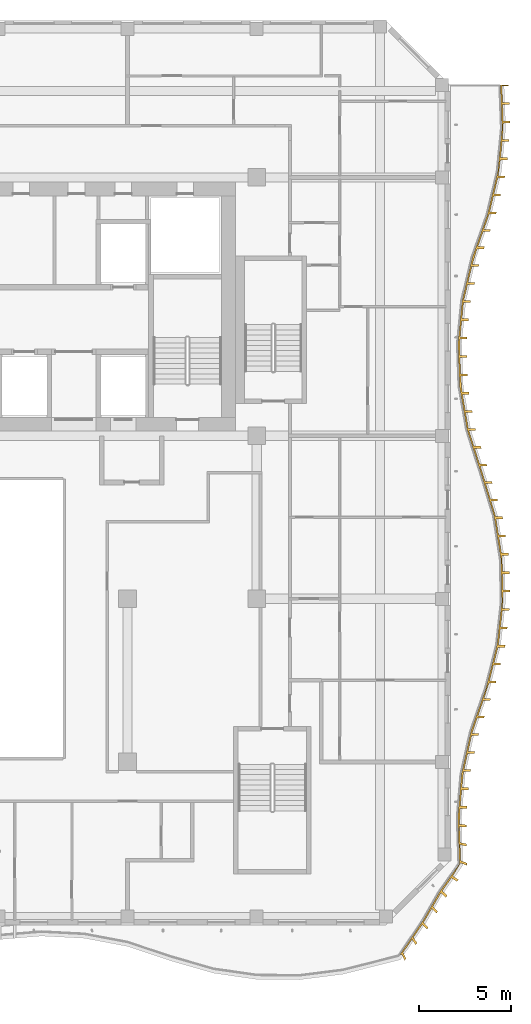
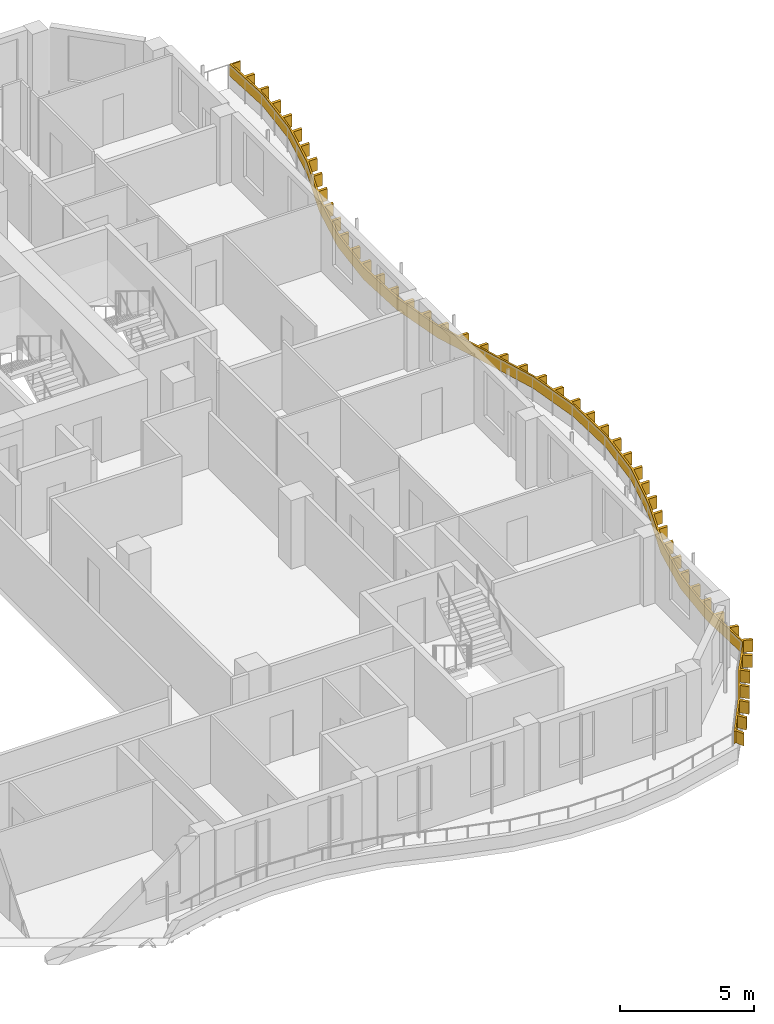
# One storey, part 16 of 19: 1 shading device.
"""IFC4 building model written with IfcOpenShell, lengths in metres."""

import ifcopenshell
import ifcopenshell.guid

model = None  # the IFC model being written
_history = None  # IfcOwnerHistory: only IFC2X3 demands one
_inside = {}  # id of a spatial element -> (the spatial element, [elements in it])
_under = {}  # id of a project, library or spatial element -> (it, [spatial elements below it])
_declared = {}  # id of a project -> (the project, [libraries it declares])
_typed = {}  # id of a type object -> (the type object, [elements of that type])
_made_of = {}  # id of a material, layer set ... -> (it, [elements and type objects made of it])


def new_model(schema):
    """Start an empty IFC model of exactly this schema.

    Asked for "IFC4X3", IfcOpenShell would pick the latest addendum, in which some entities
    have other attributes; the version numbers below select the first issue.
    IFC2X3 requires an IfcOwnerHistory on every rooted entity: one is made here for all.
    """
    global model, _history
    if schema == "IFC4X3":
        model = ifcopenshell.file(schema_version=(4, 3, 0, 0))
    else:
        model = ifcopenshell.file(schema=schema)
    _inside.clear()
    _under.clear()
    _declared.clear()
    _typed.clear()
    _made_of.clear()
    _history = None
    if model.schema == "IFC2X3":
        org = make("IfcOrganization", Name="unknown")
        user = make(
            "IfcPersonAndOrganization",
            ThePerson=make("IfcPerson", FamilyName="unknown"),
            TheOrganization=org,
        )
        app = make(
            "IfcApplication",
            ApplicationDeveloper=org,
            Version="unknown",
            ApplicationFullName="unknown",
            ApplicationIdentifier="unknown",
        )
        _history = make(
            "IfcOwnerHistory",
            OwningUser=user,
            OwningApplication=app,
            ChangeAction="ADDED",
            CreationDate=0,
        )
    return model


def make(cls, **values):
    """One entity of the class cls with the attributes given. An attribute that is None is left unset."""
    return model.create_entity(
        cls, **{name: value for name, value in values.items() if value is not None}
    )


def rooted(cls, **values):
    """An entity with a GlobalId (a new one), such as an element, a storey or a relation."""
    return make(cls, GlobalId=ifcopenshell.guid.new(), OwnerHistory=_history, **values)


def si_unit(unit_type, name, prefix=None):
    """IfcSIUnit, for example si_unit("LENGTHUNIT", "METRE", prefix="MILLI")."""
    return make("IfcSIUnit", UnitType=unit_type, Prefix=prefix, Name=name)


def assignment(units):
    """IfcUnitAssignment: the units of a project."""
    return None if units is None else make("IfcUnitAssignment", Units=units)


def point(xyz):
    """IfcCartesianPoint."""
    return None if xyz is None else make("IfcCartesianPoint", Coordinates=xyz)


def direction(xyz):
    """IfcDirection."""
    return None if xyz is None else make("IfcDirection", DirectionRatios=xyz)


def frame(location, z_axis=None, x_axis=None):
    """IfcAxis2Placement3D, a coordinate frame: its origin and axes. An axis left out is left unset."""
    return make(
        "IfcAxis2Placement3D",
        Location=point(location),
        Axis=direction(z_axis),
        RefDirection=direction(x_axis),
    )


def origin():
    """The frame at (0, 0, 0) with its axes left unset."""
    return frame((0.0, 0.0, 0.0))


def place(relative_to, where):
    """IfcLocalPlacement: puts the frame where relative to a parent placement (None: the world)."""
    return make(
        "IfcLocalPlacement", PlacementRelTo=relative_to, RelativePlacement=where
    )


def context(
    kind, dimensions, precision=None, world=None, true_north=None, identifier=None
):
    """IfcGeometricRepresentationContext, for example the 3D "Model" context."""
    return make(
        "IfcGeometricRepresentationContext",
        ContextIdentifier=identifier,
        ContextType=kind,
        CoordinateSpaceDimension=dimensions,
        Precision=precision,
        WorldCoordinateSystem=world,
        TrueNorth=true_north,
    )


def subcontext(parent, identifier, kind, view, scale=None):
    """IfcGeometricRepresentationSubContext, for example "Body" below "Model"."""
    return make(
        "IfcGeometricRepresentationSubContext",
        ContextIdentifier=identifier,
        ContextType=kind,
        ParentContext=parent,
        TargetScale=scale,
        TargetView=view,
    )


def project(units=None, contexts=None):
    """IfcProject with its units and contexts."""
    return rooted(
        "IfcProject",
        Name="project",
        RepresentationContexts=contexts,
        UnitsInContext=assignment(units),
    )


def spatial(cls, under=None, at=None, **own):
    """A site, building, storey or space (cls), placed at a placement, below another one or the project."""
    s = rooted(cls, ObjectPlacement=at, **own)
    if under is not None:
        _under.setdefault(under.id(), (under, []))[1].append(s)
    return s


def polyline(points):
    """IfcPolyline through the points."""
    return make("IfcPolyline", Points=[point(p) for p in points])


def outline(outer, holes=None, kind="AREA"):
    """IfcArbitraryClosedProfileDef: a profile drawn as a closed curve; with holes, ...WithVoids."""
    if holes is None:
        return make("IfcArbitraryClosedProfileDef", ProfileType=kind, OuterCurve=outer)
    return make(
        "IfcArbitraryProfileDefWithVoids",
        ProfileType=kind,
        OuterCurve=outer,
        InnerCurves=holes,
    )


def extrude(swept, where, along, depth):
    """IfcExtrudedAreaSolid: the profile swept, set in the frame where, extruded along a direction by depth."""
    return make(
        "IfcExtrudedAreaSolid",
        SweptArea=swept,
        Position=where,
        ExtrudedDirection=direction(along),
        Depth=depth,
    )


def shape(context_of_items, identifier, shape_type, items):
    """IfcShapeRepresentation: the items that make up one representation, for example the "Body"."""
    return make(
        "IfcShapeRepresentation",
        ContextOfItems=context_of_items,
        RepresentationIdentifier=identifier,
        RepresentationType=shape_type,
        Items=items,
    )


def source(mapping_origin, context_of_items, identifier, shape_type, items):
    """IfcRepresentationMap: a shape defined once, which mapped items show again and again."""
    return make(
        "IfcRepresentationMap",
        MappingOrigin=mapping_origin,
        MappedRepresentation=shape(context_of_items, identifier, shape_type, items),
    )


def transform(
    local_origin,
    x_axis=None,
    y_axis=None,
    z_axis=None,
    scale=None,
    scale2=None,
    scale3=None,
    uniform=True,
):
    """IfcCartesianTransformationOperator3D, or its non-uniform kind. x_axis, y_axis, z_axis: its Axis1, 2, 3."""
    if uniform:
        return make(
            "IfcCartesianTransformationOperator3D",
            Axis1=direction(x_axis),
            Axis2=direction(y_axis),
            LocalOrigin=point(local_origin),
            Scale=scale,
            Axis3=direction(z_axis),
        )
    return make(
        "IfcCartesianTransformationOperator3DnonUniform",
        Axis1=direction(x_axis),
        Axis2=direction(y_axis),
        LocalOrigin=point(local_origin),
        Scale=scale,
        Axis3=direction(z_axis),
        Scale2=scale2,
        Scale3=scale3,
    )


def mapped(mapping_source, mapping_target):
    """IfcMappedItem: shows the shape of a source again, moved by a transform."""
    return make(
        "IfcMappedItem", MappingSource=mapping_source, MappingTarget=mapping_target
    )


def material(Name=None, Category=None):
    """IfcMaterial."""
    return make("IfcMaterial", Name=Name, Category=Category)


def layer(
    of_material, thickness, ventilated=None, Name=None, Category=None, Priority=None
):
    """IfcMaterialLayer: one layer of a wall or slab, of a material (None: an air gap)."""
    return make(
        "IfcMaterialLayer",
        Material=of_material,
        LayerThickness=thickness,
        IsVentilated=ventilated,
        Name=Name,
        Category=Category,
        Priority=Priority,
    )


def layer_set(layers, Name=None):
    """IfcMaterialLayerSet."""
    return make("IfcMaterialLayerSet", MaterialLayers=layers, LayerSetName=Name)


def made_of(thing, what):
    """Note that an element or type object is made of a material, layer set ...; save() writes the relation."""
    if what is not None:
        _made_of.setdefault(what.id(), (what, []))[1].append(thing)
    return thing


def type_object(cls, material=None, **own):
    """A type object (cls), such as IfcWallType, which elements share."""
    return made_of(rooted(cls, **own), material)


def element(
    cls,
    number,
    at=None,
    inside=None,
    cuts=None,
    type_object=None,
    material=None,
    context=None,
    identifier="Body",
    shape_type=None,
    held_by="IfcProductDefinitionShape",
    body=None,
    shapes=None,
    **own,
):
    """One element of the class cls, such as IfcWall. Its Tag is "e" and its number.

    at: its placement. inside: the storey or other place that contains it. cuts: it is an
    opening in that element (IfcRelVoidsElement). A single representation is given by context,
    identifier, shape_type and body (its items); several are given by shapes. held_by: the class
    of the entity that holds the representations. save() writes the other relations.
    """
    e = rooted(cls, Tag="e%d" % number, ObjectPlacement=at, **own)
    if body is not None:
        shapes = [shape(context, identifier, shape_type, body)]
    if shapes is not None:
        e.Representation = make(held_by, Representations=shapes)
    if inside is not None:
        _inside.setdefault(inside.id(), (inside, []))[1].append(e)
    if cuts is not None:
        rooted(
            "IfcRelVoidsElement", RelatingBuildingElement=cuts, RelatedOpeningElement=e
        )
    if type_object is not None:
        _typed.setdefault(type_object.id(), (type_object, []))[1].append(e)
    return made_of(e, material)


def aggregate(whole, parts):
    """IfcRelAggregates: a whole, such as a stair, and the parts it consists of."""
    return rooted("IfcRelAggregates", RelatingObject=whole, RelatedObjects=parts)


def save(model, path):
    """Write the relations noted so far, then the file.

    IfcRelAggregates (storeys below a building ...), IfcRelContainedInSpatialStructure (elements
    in a storey), IfcRelDefinesByType, IfcRelAssociatesMaterial and IfcRelDeclares: one each for
    every whole, place, type object, material and project.
    """
    for whole, parts in _under.values():
        aggregate(whole, parts)
    for where, things in _inside.values():
        rooted(
            "IfcRelContainedInSpatialStructure",
            RelatedElements=things,
            RelatingStructure=where,
        )
    for kind, things in _typed.values():
        rooted("IfcRelDefinesByType", RelatedObjects=things, RelatingType=kind)
    for what, things in _made_of.values():
        rooted("IfcRelAssociatesMaterial", RelatedObjects=things, RelatingMaterial=what)
    for by, libraries in _declared.values():
        rooted("IfcRelDeclares", RelatingContext=by, RelatedDefinitions=libraries)
    model.write(path)


model = new_model("IFC4")

# Units and contexts
model_context = context("Model", 3, precision=1e-05, world=origin(), true_north=direction((0.0, 1.0)))
body_context = subcontext(model_context, "Body", "Model", "MODEL_VIEW")
ifc_project = project(units=[si_unit("LENGTHUNIT", "METRE"), si_unit("AREAUNIT", "SQUARE_METRE"), si_unit("VOLUMEUNIT", "CUBIC_METRE"), si_unit("PLANEANGLEUNIT", "RADIAN"), si_unit("MASSUNIT", "GRAM", prefix="KILO")], contexts=[model_context])

# Site, building, storey
site_placement = place(None, origin())
site = spatial("IfcSite", under=ifc_project, at=site_placement, CompositionType="ELEMENT")
building_placement = place(site_placement, origin())
building = spatial("IfcBuilding", under=site, at=building_placement, Name="Kilnfold Tower and Market Hall", CompositionType="ELEMENT")
storey_placement = place(building_placement, frame((0.0, 0.0, 242.39990234375)))
storey = spatial("IfcBuildingStorey", under=building, at=storey_placement, Name="L58", CompositionType="ELEMENT", Elevation=242.39990234375)

# Shading device
ifc_material = material(Name="Bronze anodised aluminium", Category="aluminium")
ifc_layer = layer(ifc_material, 0.550048828125)
ifc_layer_set = layer_set([ifc_layer], Name="Bronze anodised aluminium")
shading_device_type = type_object("IfcShadingDeviceType", Name="BRONZE SLAT FASCIA 550", PredefinedType="USERDEFINED", material=ifc_layer_set)
shared_shape = source(origin(), body_context, "Body", "SweptSolid", [
    extrude(outline(polyline([(27.017578125, -20.422607421875), (26.8642578125, -20.08740234375), (26.74658203125, -20.1416015625), (28.0478515625, -18.214599609375), (28.8994140625, -16.732666015625), (29.98291015625, -15.199951171875), (29.902099609375, -12.666748046875), (30.095703125, -10.333251953125), (30.614013671875, -8.0), (31.4296875, -5.666748046875), (32.021240234375, -3.333251953125), (32.282958984375, -1.0), (32.229736328125, 1.333251953125), (31.858642578125, 3.666748046875), (31.14794921875, 6.0), (30.400146484375, 8.333251953125), (29.994384765625, 10.666748046875), (29.90771484375, 13.0), (30.1357421875, 15.333251953125), (30.69091796875, 17.666748046875), (31.510498046875, 20.0), (32.065185546875, 22.333251953125), (32.292236328125, 24.666748046875), (32.205078125, 27.0), (32.6552734375, 27.0), (32.6572265625, 26.944580078125), (32.287353515625, 26.944580078125), (32.320068359375, 26.065185546875), (32.690185546875, 26.065185546875), (32.694580078125, 25.9453125), (32.32470703125, 25.9453125), (32.357421875, 25.06591796875), (32.727294921875, 25.06591796875), (32.73193359375, 24.946044921875), (32.36181640625, 24.946044921875), (32.314208984375, 24.069091796875), (32.68408203125, 24.069091796875), (32.672607421875, 23.94970703125), (32.302490234375, 23.94970703125), (32.21728515625, 23.07373046875), (32.587158203125, 23.07373046875), (32.57568359375, 22.954345703125), (32.20556640625, 22.954345703125), (32.0859375, 22.084228515625), (32.455810546875, 22.084228515625), (32.42822265625, 21.967529296875), (32.05810546875, 21.967529296875), (31.854736328125, 21.111328125), (32.224609375, 21.111328125), (32.197021484375, 20.99462890625), (31.826904296875, 20.99462890625), (31.623291015625, 20.138427734375), (31.993408203125, 20.138427734375), (31.9658203125, 20.021728515625), (31.595703125, 20.021728515625), (31.30615234375, 19.19091796875), (31.67626953125, 19.19091796875), (31.636474609375, 19.07763671875), (31.2666015625, 19.07763671875), (30.974853515625, 18.247314453125), (31.3447265625, 18.247314453125), (31.304931640625, 18.134033203125), (30.93505859375, 18.134033203125), (30.681884765625, 17.29248046875), (31.0517578125, 17.29248046875), (31.02392578125, 17.17578125), (30.654052734375, 17.17578125), (30.450439453125, 16.319580078125), (30.8203125, 16.319580078125), (30.79248046875, 16.202880859375), (30.422607421875, 16.202880859375), (30.218994140625, 15.346923828125), (30.5888671875, 15.346923828125), (30.575439453125, 15.227783203125), (30.205322265625, 15.227783203125), (30.119873046875, 14.351806640625), (30.48974609375, 14.351806640625), (30.478271484375, 14.232421875), (30.108154296875, 14.232421875), (30.022705078125, 13.356689453125), (30.392578125, 13.356689453125), (30.381103515625, 13.2373046875), (30.010986328125, 13.2373046875), (30.01171875, 12.35888671875), (30.381591796875, 12.35888671875), (30.385986328125, 12.239013671875), (30.01611328125, 12.239013671875), (30.048583984375, 11.359619140625), (30.418701171875, 11.359619140625), (30.423095703125, 11.239501953125), (30.052978515625, 11.239501953125), (30.126953125, 10.364501953125), (30.496826171875, 10.364501953125), (30.517578125, 10.24609375), (30.1474609375, 10.24609375), (30.298095703125, 9.37939453125), (30.668212890625, 9.37939453125), (30.688720703125, 9.260986328125), (30.31884765625, 9.260986328125), (30.469482421875, 8.39404296875), (30.839599609375, 8.39404296875), (30.867919921875, 8.277587890625), (30.497802734375, 8.277587890625), (30.7666015625, 7.439697265625), (31.136474609375, 7.439697265625), (31.173095703125, 7.325439453125), (30.802978515625, 7.325439453125), (31.07177734375, 6.487548828125), (31.44189453125, 6.487548828125), (31.478515625, 6.373291015625), (31.1083984375, 6.373291015625), (31.3701171875, 5.533203125), (31.740234375, 5.533203125), (31.775146484375, 5.418212890625), (31.4052734375, 5.418212890625), (31.66162109375, 4.576416015625), (32.031494140625, 4.576416015625), (32.066650390625, 4.461669921875), (31.696533203125, 4.461669921875), (31.9462890625, 3.618408203125), (32.31640625, 3.618408203125), (32.335205078125, 3.499755859375), (31.965087890625, 3.499755859375), (32.103515625, 2.630615234375), (32.473388671875, 2.630615234375), (32.4921875, 2.51220703125), (32.122314453125, 2.51220703125), (32.260498046875, 1.64306640625), (32.630615234375, 1.64306640625), (32.6494140625, 1.524658203125), (32.279296875, 1.524658203125), (32.325439453125, 0.647216796875), (32.6953125, 0.647216796875), (32.6982421875, 0.52734375), (32.328125, 0.52734375), (32.34814453125, -0.3525390625), (32.71826171875, -0.3525390625), (32.720947265625, -0.472412109375), (32.35107421875, -0.472412109375), (32.32373046875, -1.35009765625), (32.693603515625, -1.35009765625), (32.680419921875, -1.469482421875), (32.310302734375, -1.469482421875), (32.21240234375, -2.343994140625), (32.582275390625, -2.343994140625), (32.56884765625, -2.463134765625), (32.198974609375, -2.463134765625), (32.10009765625, -3.337646484375), (32.47021484375, -3.337646484375), (32.440673828125, -3.453857421875), (32.07080078125, -3.453857421875), (31.8544921875, -4.306884765625), (32.224609375, -4.306884765625), (32.195068359375, -4.423095703125), (31.824951171875, -4.423095703125), (31.608642578125, -5.276123046875), (31.978759765625, -5.276123046875), (31.94921875, -5.392578125), (31.5791015625, -5.392578125), (31.3125, -6.23046875), (31.6826171875, -6.23046875), (31.64306640625, -6.34375), (31.27294921875, -6.34375), (30.982666015625, -7.17431640625), (31.352783203125, -7.17431640625), (31.31298828125, -7.28759765625), (30.943115234375, -7.28759765625), (30.6669921875, -8.12255859375), (31.036865234375, -8.12255859375), (31.010986328125, -8.239501953125), (30.640869140625, -8.239501953125), (30.449951171875, -9.0986328125), (30.820068359375, -9.0986328125), (30.7939453125, -9.2158203125), (30.423828125, -9.2158203125), (30.23291015625, -10.07470703125), (30.60302734375, -10.07470703125), (30.576904296875, -10.19189453125), (30.20703125, -10.19189453125), (30.11474609375, -11.06591796875), (30.48486328125, -11.06591796875), (30.474853515625, -11.185546875), (30.10498046875, -11.185546875), (30.0322265625, -12.0625), (30.402099609375, -12.0625), (30.392333984375, -12.18212890625), (30.022216796875, -12.18212890625), (29.9921875, -13.053466796875), (30.359130859375, -13.07470703125), (30.361328125, -13.19921875), (29.995361328125, -13.171142578125), (30.019775390625, -14.03515625), (30.376953125, -14.111083984375), (30.379150390625, -14.235595703125), (30.023193359375, -14.15283203125), (30.0498046875, -15.017333984375), (30.394775390625, -15.1474609375), (30.39697265625, -15.27197265625), (30.0537109375, -15.135498046875), (29.61376953125, -15.853759765625), (29.92529296875, -16.044677734375), (29.85302734375, -16.147705078125), (29.546142578125, -15.949462890625), (29.052001953125, -16.651611328125), (29.3212890625, -16.9033203125), (29.248779296875, -17.00634765625), (28.98486328125, -16.747802734375), (28.543212890625, -17.50732421875), (28.804931640625, -17.76904296875), (28.7451171875, -17.873046875), (28.4833984375, -17.611328125), (28.0380859375, -18.367431640625), (28.294189453125, -18.63330078125), (28.22216796875, -18.734619140625), (27.971435546875, -18.464599609375), (27.4833984375, -19.177490234375), (27.692138671875, -19.477294921875), (27.619873046875, -19.57861328125), (27.4169921875, -19.274658203125), (26.9306640625, -19.98974609375), (27.08984375, -20.3212890625), (27.017578125, -20.422607421875)])), origin(), (0.0, 0.0, 1.0), 0.550048828125),
])
shading_device_placement = place(storey_placement, frame((0.0, 0.0, 0.550048828125)))
element("IfcShadingDevice", 1, at=shading_device_placement, inside=storey, type_object=shading_device_type, Name="Balcony slat fascia L58", ObjectType="SLAT", PredefinedType="USERDEFINED", context=body_context, shape_type="MappedRepresentation", body=[
    mapped(shared_shape, transform((0.0, 0.0, 0.0))),
])

save(model, "model.ifc")
